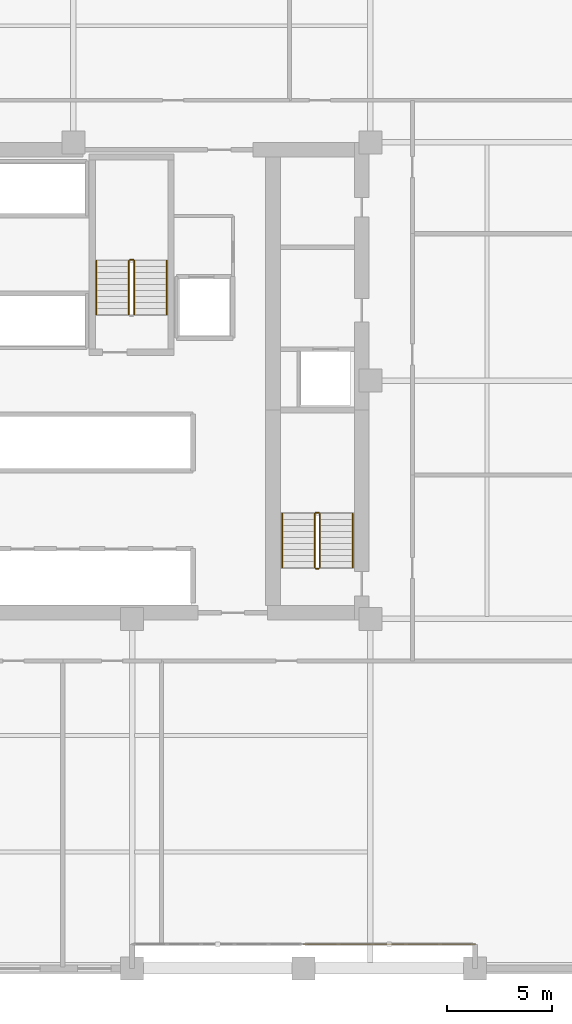
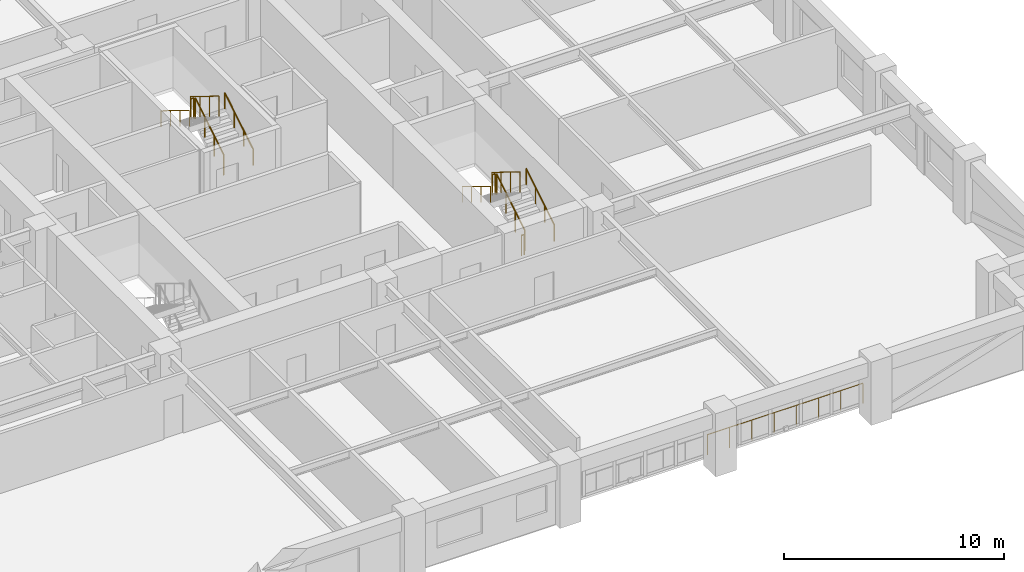
# One storey, part 13 of 13: 12 railings.
"""IFC4 building model written with IfcOpenShell, lengths in metres."""

from ifc_helpers import new_model, si_unit, direction, frame, origin, origin_2d, place, context, subcontext, project, spatial, circle, extrude, material, type_object, element, save


model = new_model("IFC4")

# Units and contexts
model_context = context("Model", 3, precision=1e-05, world=origin(), true_north=direction((0.0, 1.0)))
body_context = subcontext(model_context, "Body", "Model", "MODEL_VIEW")
ifc_project = project(units=[si_unit("LENGTHUNIT", "METRE"), si_unit("AREAUNIT", "SQUARE_METRE"), si_unit("VOLUMEUNIT", "CUBIC_METRE"), si_unit("PLANEANGLEUNIT", "RADIAN"), si_unit("MASSUNIT", "GRAM", prefix="KILO")], contexts=[model_context])

# Site, building, storey
site_placement = place(None, origin())
site = spatial("IfcSite", under=ifc_project, at=site_placement, CompositionType="ELEMENT")
building_placement = place(site_placement, origin())
building = spatial("IfcBuilding", under=site, at=building_placement, Name="Nhamokura Convention Tower", CompositionType="ELEMENT")
storey_placement = place(building_placement, frame((0.0, 0.0, 63.35009765625)))
storey = spatial("IfcBuildingStorey", under=building, at=storey_placement, Name="L14", CompositionType="ELEMENT", Elevation=63.35009765625)

# Railings
ifc_material_1 = material(Name="Anodised bronze stainless steel", Category="steel")
railing_type_1 = type_object("IfcRailingType", Name="StairWallHandrail_900", PredefinedType="HANDRAIL", material=ifc_material_1)
railing_1_placement = place(storey_placement, frame((42.5, 23.10009765625, 0.1748046875)))
element("IfcRailing", 1, at=railing_1_placement, inside=storey, type_object=railing_type_1, Name="L14 ST-02 stair handrail 1", PredefinedType="HANDRAIL", context=body_context, shape_type="SweptSolid", body=[
    extrude(circle(Radius=0.02392578125, at=origin_2d()), frame((0.0, 0.0, 0.8759765625), z_axis=(0.0, 0.85213695991, 0.523318833556), x_axis=(-1.0, 0.0, 0.0)), (0.0, 0.0, 1.0), 3.010009765625),
    extrude(circle(Radius=0.02099609375, at=origin_2d()), origin(), (0.0, 0.0, 1.0), 0.851806640625),
    extrude(circle(Radius=0.02099609375, at=origin_2d()), frame((0.0, 0.85498046875, 0.525146484375)), (0.0, 0.0, 1.0), 0.851806640625),
    extrude(circle(Radius=0.02099609375, at=origin_2d()), frame((0.0, 1.7099609375, 1.050048828125)), (0.0, 0.0, 1.0), 0.851806640625),
    extrude(circle(Radius=0.02099609375, at=origin_2d()), frame((0.0, 2.56494140625, 1.5751953125)), (0.0, 0.0, 1.0), 0.851806640625),
])
railing_2_placement = place(storey_placement, frame((39.14990234375, 25.6650390625, 1.9248046875)))
element("IfcRailing", 2, at=railing_2_placement, inside=storey, type_object=railing_type_1, Name="L14 ST-02 stair handrail 2", PredefinedType="HANDRAIL", context=body_context, shape_type="SweptSolid", body=[
    extrude(circle(Radius=0.02392578125, at=origin_2d()), frame((0.0, 0.0, 0.8759765625), z_axis=(0.0, -0.85213695991, 0.523318833556), x_axis=(1.0, 0.0, 0.0)), (0.0, 0.0, 1.0), 3.010009765625),
    extrude(circle(Radius=0.02099609375, at=origin_2d()), origin(), (0.0, 0.0, 1.0), 0.851806640625),
    extrude(circle(Radius=0.02099609375, at=origin_2d()), frame((0.0, -0.85498046875, 0.525146484375)), (0.0, 0.0, 1.0), 0.851806640625),
    extrude(circle(Radius=0.02099609375, at=origin_2d()), frame((0.0, -1.7099609375, 1.050048828125)), (0.0, 0.0, 1.0), 0.851806640625),
    extrude(circle(Radius=0.02099609375, at=origin_2d()), frame((0.0, -2.56494140625, 1.5751953125)), (0.0, 0.0, 1.0), 0.851806640625),
])
railing_3_placement = place(storey_placement, frame((33.64990234375, 35.14990234375, 0.1748046875)))
element("IfcRailing", 3, at=railing_3_placement, inside=storey, type_object=railing_type_1, Name="L14 ST-03 stair handrail 1", PredefinedType="HANDRAIL", context=body_context, shape_type="SweptSolid", body=[
    extrude(circle(Radius=0.02392578125, at=origin_2d()), frame((0.0, 0.0, 0.8759765625), z_axis=(0.0, 0.852159170481, 0.523282665646), x_axis=(-1.0, 0.0, 0.0)), (0.0, 0.0, 1.0), 3.01025390625),
    extrude(circle(Radius=0.02099609375, at=origin_2d()), origin(), (0.0, 0.0, 1.0), 0.851806640625),
    extrude(circle(Radius=0.02099609375, at=origin_2d()), frame((0.0, 0.85498046875, 0.525146484375)), (0.0, 0.0, 1.0), 0.851806640625),
    extrude(circle(Radius=0.02099609375, at=origin_2d()), frame((0.0, 1.710205078125, 1.050048828125)), (0.0, 0.0, 1.0), 0.851806640625),
    extrude(circle(Radius=0.02099609375, at=origin_2d()), frame((0.0, 2.565185546875, 1.5751953125)), (0.0, 0.0, 1.0), 0.851806640625),
])
railing_4_placement = place(storey_placement, frame((30.300048828125, 37.715087890625, 1.9248046875)))
element("IfcRailing", 4, at=railing_4_placement, inside=storey, type_object=railing_type_1, Name="L14 ST-03 stair handrail 2", PredefinedType="HANDRAIL", context=body_context, shape_type="SweptSolid", body=[
    extrude(circle(Radius=0.02392578125, at=origin_2d()), frame((0.0, 0.0, 0.8759765625), z_axis=(0.0, -0.852159170481, 0.523282665646), x_axis=(1.0, 0.0, 0.0)), (0.0, 0.0, 1.0), 3.01025390625),
    extrude(circle(Radius=0.02099609375, at=origin_2d()), origin(), (0.0, 0.0, 1.0), 0.851806640625),
    extrude(circle(Radius=0.02099609375, at=origin_2d()), frame((0.0, -0.85498046875, 0.525146484375)), (0.0, 0.0, 1.0), 0.851806640625),
    extrude(circle(Radius=0.02099609375, at=origin_2d()), frame((0.0, -1.710205078125, 1.050048828125)), (0.0, 0.0, 1.0), 0.851806640625),
    extrude(circle(Radius=0.02099609375, at=origin_2d()), frame((0.0, -2.565185546875, 1.5751953125)), (0.0, 0.0, 1.0), 0.851806640625),
])
ifc_material_2 = material(Name="Painted tubular steel", Category="steel")
railing_type_2 = type_object("IfcRailingType", Name="StairWellGuardrail_1150", PredefinedType="GUARDRAIL", material=ifc_material_2)
railing_5_placement = place(storey_placement, frame((40.949951171875, 23.10009765625, 0.1748046875)))
element("IfcRailing", 5, at=railing_5_placement, inside=storey, type_object=railing_type_2, Name="L14 ST-02 stair guard 1", PredefinedType="GUARDRAIL", context=body_context, shape_type="SweptSolid", body=[
    extrude(circle(Radius=0.02392578125, at=origin_2d()), frame((0.0, 0.0, 1.1259765625), z_axis=(0.0, 0.85213695991, 0.523318833556), x_axis=(-1.0, 0.0, 0.0)), (0.0, 0.0, 1.0), 3.010009765625),
    extrude(circle(Radius=0.02099609375, at=origin_2d()), origin(), (0.0, 0.0, 1.0), 1.101806640625),
    extrude(circle(Radius=0.02099609375, at=origin_2d()), frame((0.0, 0.85498046875, 0.525146484375)), (0.0, 0.0, 1.0), 1.101806640625),
    extrude(circle(Radius=0.02099609375, at=origin_2d()), frame((0.0, 1.7099609375, 1.050048828125)), (0.0, 0.0, 1.0), 1.101806640625),
    extrude(circle(Radius=0.02099609375, at=origin_2d()), frame((0.0, 2.56494140625, 1.5751953125)), (0.0, 0.0, 1.0), 1.101806640625),
])
railing_6_placement = place(storey_placement, frame((40.89990234375, 25.715087890625, 1.75)))
element("IfcRailing", 6, at=railing_6_placement, inside=storey, type_object=railing_type_2, Name="L14 ST-02 stair guard 2", PredefinedType="GUARDRAIL", context=body_context, shape_type="SweptSolid", body=[
    extrude(circle(Radius=0.02392578125, at=origin_2d()), frame((0.0, 0.0, 1.1259765625), z_axis=(-1.0, 0.0, 0.0), x_axis=(0.0, -1.0, 0.0)), (0.0, 0.0, 1.0), 0.14990234375),
    extrude(circle(Radius=0.02099609375, at=origin_2d()), origin(), (0.0, 0.0, 1.0), 1.101806640625),
    extrude(circle(Radius=0.02099609375, at=origin_2d()), frame((-0.14990234375, 0.0, 0.0)), (0.0, 0.0, 1.0), 1.101806640625),
])
railing_7_placement = place(storey_placement, frame((40.699951171875, 25.6650390625, 1.9248046875)))
element("IfcRailing", 7, at=railing_7_placement, inside=storey, type_object=railing_type_2, Name="L14 ST-02 stair guard 3", PredefinedType="GUARDRAIL", context=body_context, shape_type="SweptSolid", body=[
    extrude(circle(Radius=0.02392578125, at=origin_2d()), frame((0.0, 0.0, 1.1259765625), z_axis=(0.0, -0.85213695991, 0.523318833556), x_axis=(1.0, 0.0, 0.0)), (0.0, 0.0, 1.0), 3.010009765625),
    extrude(circle(Radius=0.02099609375, at=origin_2d()), origin(), (0.0, 0.0, 1.0), 1.101806640625),
    extrude(circle(Radius=0.02099609375, at=origin_2d()), frame((0.0, -0.85498046875, 0.525146484375)), (0.0, 0.0, 1.0), 1.101806640625),
    extrude(circle(Radius=0.02099609375, at=origin_2d()), frame((0.0, -1.7099609375, 1.050048828125)), (0.0, 0.0, 1.0), 1.101806640625),
    extrude(circle(Radius=0.02099609375, at=origin_2d()), frame((0.0, -2.56494140625, 1.5751953125)), (0.0, 0.0, 1.0), 1.101806640625),
])
railing_8_placement = place(storey_placement, frame((40.89990234375, 23.050048828125, 0.0)))
element("IfcRailing", 8, at=railing_8_placement, inside=storey, type_object=railing_type_2, Name="L14 ST-02 stair guard 4", PredefinedType="GUARDRAIL", context=body_context, shape_type="SweptSolid", body=[
    extrude(circle(Radius=0.02392578125, at=origin_2d()), frame((0.0, 0.0, 1.1259765625), z_axis=(-1.0, 0.0, 0.0), x_axis=(0.0, -1.0, 0.0)), (0.0, 0.0, 1.0), 0.14990234375),
    extrude(circle(Radius=0.02099609375, at=origin_2d()), origin(), (0.0, 0.0, 1.0), 1.101806640625),
    extrude(circle(Radius=0.02099609375, at=origin_2d()), frame((-0.14990234375, 0.0, 0.0)), (0.0, 0.0, 1.0), 1.101806640625),
])
railing_9_placement = place(storey_placement, frame((32.10009765625, 35.14990234375, 0.1748046875)))
element("IfcRailing", 9, at=railing_9_placement, inside=storey, type_object=railing_type_2, Name="L14 ST-03 stair guard 1", PredefinedType="GUARDRAIL", context=body_context, shape_type="SweptSolid", body=[
    extrude(circle(Radius=0.02392578125, at=origin_2d()), frame((0.0, 0.0, 1.1259765625), z_axis=(0.0, 0.852159170481, 0.523282665646), x_axis=(-1.0, 0.0, 0.0)), (0.0, 0.0, 1.0), 3.01025390625),
    extrude(circle(Radius=0.02099609375, at=origin_2d()), origin(), (0.0, 0.0, 1.0), 1.101806640625),
    extrude(circle(Radius=0.02099609375, at=origin_2d()), frame((0.0, 0.85498046875, 0.525146484375)), (0.0, 0.0, 1.0), 1.101806640625),
    extrude(circle(Radius=0.02099609375, at=origin_2d()), frame((0.0, 1.710205078125, 1.050048828125)), (0.0, 0.0, 1.0), 1.101806640625),
    extrude(circle(Radius=0.02099609375, at=origin_2d()), frame((0.0, 2.565185546875, 1.5751953125)), (0.0, 0.0, 1.0), 1.101806640625),
])
railing_10_placement = place(storey_placement, frame((32.050048828125, 37.764892578125, 1.75)))
element("IfcRailing", 10, at=railing_10_placement, inside=storey, type_object=railing_type_2, Name="L14 ST-03 stair guard 2", PredefinedType="GUARDRAIL", context=body_context, shape_type="SweptSolid", body=[
    extrude(circle(Radius=0.02392578125, at=origin_2d()), frame((0.0, 0.0, 1.1259765625), z_axis=(-1.0, 0.0, 0.0), x_axis=(0.0, -1.0, 0.0)), (0.0, 0.0, 1.0), 0.150146484375),
    extrude(circle(Radius=0.02099609375, at=origin_2d()), origin(), (0.0, 0.0, 1.0), 1.101806640625),
    extrude(circle(Radius=0.02099609375, at=origin_2d()), frame((-0.150146484375, 0.0, 0.0)), (0.0, 0.0, 1.0), 1.101806640625),
])
railing_11_placement = place(storey_placement, frame((31.85009765625, 37.715087890625, 1.9248046875)))
element("IfcRailing", 11, at=railing_11_placement, inside=storey, type_object=railing_type_2, Name="L14 ST-03 stair guard 3", PredefinedType="GUARDRAIL", context=body_context, shape_type="SweptSolid", body=[
    extrude(circle(Radius=0.02392578125, at=origin_2d()), frame((0.0, 0.0, 1.1259765625), z_axis=(0.0, -0.852159170481, 0.523282665646), x_axis=(1.0, 0.0, 0.0)), (0.0, 0.0, 1.0), 3.01025390625),
    extrude(circle(Radius=0.02099609375, at=origin_2d()), origin(), (0.0, 0.0, 1.0), 1.101806640625),
    extrude(circle(Radius=0.02099609375, at=origin_2d()), frame((0.0, -0.85498046875, 0.525146484375)), (0.0, 0.0, 1.0), 1.101806640625),
    extrude(circle(Radius=0.02099609375, at=origin_2d()), frame((0.0, -1.710205078125, 1.050048828125)), (0.0, 0.0, 1.0), 1.101806640625),
    extrude(circle(Radius=0.02099609375, at=origin_2d()), frame((0.0, -2.565185546875, 1.5751953125)), (0.0, 0.0, 1.0), 1.101806640625),
])
ifc_material_3 = material(Name="Anodised bronze stainless steel", Category="steel")
railing_type_3 = type_object("IfcRailingType", Name="TerraceGuardrail_1150", PredefinedType="GUARDRAIL", material=ifc_material_3)
railing_12_placement = place(storey_placement, frame((48.333251953125, 5.14990234375, 0.0)))
element("IfcRailing", 12, at=railing_12_placement, inside=storey, type_object=railing_type_3, Name="L14 Scale-Slot Edge Guardrail SOUTH 4", PredefinedType="GUARDRAIL", context=body_context, shape_type="SweptSolid", body=[
    extrude(circle(Radius=0.02392578125, at=origin_2d()), frame((0.0, 0.0, 1.1259765625), z_axis=(-1.0, 0.0, 0.0), x_axis=(0.0, -1.0, 0.0)), (0.0, 0.0, 1.0), 8.16650390625),
    extrude(circle(Radius=0.02099609375, at=origin_2d()), origin(), (0.0, 0.0, 1.0), 1.101806640625),
    extrude(circle(Radius=0.02099609375, at=origin_2d()), frame((-1.166748046875, 0.0, 0.0)), (0.0, 0.0, 1.0), 1.101806640625),
    extrude(circle(Radius=0.02099609375, at=origin_2d()), frame((-2.333251953125, 0.0, 0.0)), (0.0, 0.0, 1.0), 1.101806640625),
    extrude(circle(Radius=0.02099609375, at=origin_2d()), frame((-3.5, 0.0, 0.0)), (0.0, 0.0, 1.0), 1.101806640625),
    extrude(circle(Radius=0.02099609375, at=origin_2d()), frame((-4.66650390625, 0.0, 0.0)), (0.0, 0.0, 1.0), 1.101806640625),
    extrude(circle(Radius=0.02099609375, at=origin_2d()), frame((-5.833251953125, 0.0, 0.0)), (0.0, 0.0, 1.0), 1.101806640625),
    extrude(circle(Radius=0.02099609375, at=origin_2d()), frame((-6.999755859375, 0.0, 0.0)), (0.0, 0.0, 1.0), 1.101806640625),
    extrude(circle(Radius=0.02099609375, at=origin_2d()), frame((-8.16650390625, 0.0, 0.0)), (0.0, 0.0, 1.0), 1.101806640625),
])

save(model, "model.ifc")
